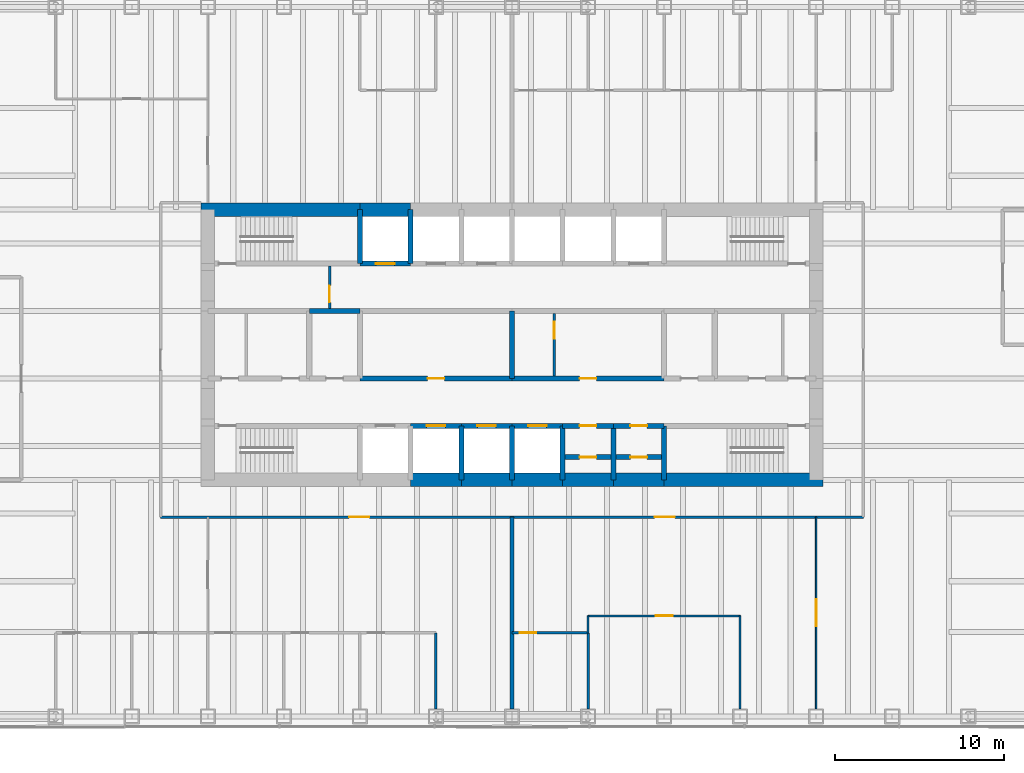
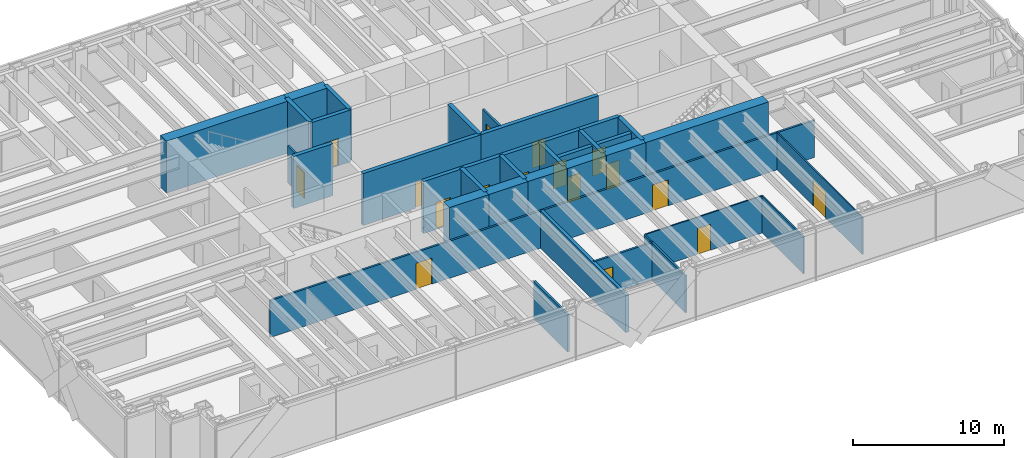
# One storey, part 15 of 18: 38 walls, 17 doors, 17 openings.
"""IFC4 building model written with IfcOpenShell, lengths in metres."""

from ifc_helpers import new_model, si_unit, direction, frame, frame_2d, origin, place, context, subcontext, project, spatial, rectangle, extrude, material, layer, layer_set, type_object, element, fill, save


model = new_model("IFC4")

# Units and contexts
model_context = context("Model", 3, precision=1e-05, world=origin(), true_north=direction((0.0, 1.0)))
body_context = subcontext(model_context, "Body", "Model", "MODEL_VIEW")
ifc_project = project(units=[si_unit("LENGTHUNIT", "METRE"), si_unit("AREAUNIT", "SQUARE_METRE"), si_unit("VOLUMEUNIT", "CUBIC_METRE"), si_unit("PLANEANGLEUNIT", "RADIAN"), si_unit("MASSUNIT", "GRAM", prefix="KILO")], contexts=[model_context])

# Site, building, storey
site_placement = place(None, origin())
site = spatial("IfcSite", under=ifc_project, at=site_placement, CompositionType="ELEMENT")
building_placement = place(site_placement, origin())
building = spatial("IfcBuilding", under=site, at=building_placement, Name="Rheinbord Bourse Tower", CompositionType="ELEMENT")
storey_placement = place(building_placement, frame((0.0, 0.0, 244.60009765625)))
storey = spatial("IfcBuildingStorey", under=building, at=storey_placement, Name="L55", CompositionType="ELEMENT", Elevation=244.60009765625)

# Wall, opening, door
ifc_material_1 = material(Name="Concrete C50/60", Category="concrete")
ifc_layer_1 = layer(ifc_material_1, 0.300048828125)
ifc_layer_set_1 = layer_set([ifc_layer_1], Name="CORE INNER WALL 300")
wall_type_1 = type_object("IfcWallType", Name="CORE INNER WALL 300", PredefinedType="SOLIDWALL", material=ifc_layer_set_1)
wall_1_placement = place(storey_placement, frame((30.0, 19.199951171875, 0.0), z_axis=(0.0, 0.0, 1.0), x_axis=(1.0, 0.0, 0.0)))
wall_1 = element("IfcWall", 1, at=wall_1_placement, inside=storey, type_object=wall_type_1, Name="Core wall A3 L55", PredefinedType="SOLIDWALL", context=body_context, shape_type="SweptSolid", body=[
    extrude(rectangle(XDim=3.0, YDim=0.300048828125, at=frame_2d((1.5, 0.0))), origin(), (0.0, 0.0, 1.0), 4.199951171875),
])
opening_1_placement = place(wall_1_placement, frame((0.949951171875, 0.0, 0.0)))
opening_1 = element("IfcOpeningElement", 2, at=opening_1_placement, cuts=wall_1, Name="Opening PC1", PredefinedType="OPENING", context=body_context, shape_type="SweptSolid", body=[
    extrude(rectangle(XDim=1.10009765625, YDim=2.199951171875, at=frame_2d((0.550048828125, 1.10009765625))), frame((0.0, 0.159912109375, 0.0), z_axis=(0.0, -1.0, 0.0), x_axis=(1.0, 0.0, 0.0)), (0.0, 0.0, 1.0), 0.320068359375),
])
ifc_material_2 = material(Name="Steel landing door", Category="steel")
door_type_1 = type_object("IfcDoorType", Name="LIFT LANDING DOOR 1100", OperationType="DOUBLE_DOOR_SLIDING", PredefinedType="USERDEFINED", material=ifc_material_2)
door_1_placement = place(opening_1_placement, origin())
door_1 = element("IfcDoor", 3, at=door_1_placement, inside=storey, type_object=door_type_1, Name="Lift landing door PC1 L55", ObjectType="LIFT LANDING DOOR", OperationType="DOUBLE_DOOR_SLIDING", OverallHeight=2.199951171875, OverallWidth=1.10009765625, PredefinedType="USERDEFINED", context=body_context, shape_type="SweptSolid", body=[
    extrude(rectangle(XDim=1.10009765625, YDim=2.199951171875, at=frame_2d((0.550048828125, 1.10009765625))), frame((0.0, 0.02490234375, 0.0), z_axis=(0.0, -1.0, 0.0), x_axis=(1.0, 0.0, 0.0)), (0.0, 0.0, 1.0), 0.050048828125),
])
fill(opening_1, door_1)

wall_2_placement = place(storey_placement, frame((33.0, 19.199951171875, 0.0), z_axis=(0.0, 0.0, 1.0), x_axis=(1.0, 0.0, 0.0)))
wall_2 = element("IfcWall", 4, at=wall_2_placement, inside=storey, type_object=wall_type_1, Name="Core wall A4 L55", PredefinedType="SOLIDWALL", context=body_context, shape_type="SweptSolid", body=[
    extrude(rectangle(XDim=3.0, YDim=0.300048828125, at=frame_2d((1.5, 0.0))), origin(), (0.0, 0.0, 1.0), 4.199951171875),
])
opening_2_placement = place(wall_2_placement, frame((0.949951171875, 0.0, 0.0)))
opening_2 = element("IfcOpeningElement", 5, at=opening_2_placement, cuts=wall_2, Name="Opening PC2", PredefinedType="OPENING", context=body_context, shape_type="SweptSolid", body=[
    extrude(rectangle(XDim=1.10009765625, YDim=2.199951171875, at=frame_2d((0.550048828125, 1.10009765625))), frame((0.0, 0.159912109375, 0.0), z_axis=(0.0, -1.0, 0.0), x_axis=(1.0, 0.0, 0.0)), (0.0, 0.0, 1.0), 0.320068359375),
])
door_2_placement = place(opening_2_placement, origin())
door_2 = element("IfcDoor", 6, at=door_2_placement, inside=storey, type_object=door_type_1, Name="Lift landing door PC2 L55", ObjectType="LIFT LANDING DOOR", OperationType="DOUBLE_DOOR_SLIDING", OverallHeight=2.199951171875, OverallWidth=1.10009765625, PredefinedType="USERDEFINED", context=body_context, shape_type="SweptSolid", body=[
    extrude(rectangle(XDim=1.10009765625, YDim=2.199951171875, at=frame_2d((0.550048828125, 1.10009765625))), frame((0.0, 0.02490234375, 0.0), z_axis=(0.0, -1.0, 0.0), x_axis=(1.0, 0.0, 0.0)), (0.0, 0.0, 1.0), 0.050048828125),
])
fill(opening_2, door_2)

wall_3_placement = place(storey_placement, frame((36.0, 19.199951171875, 0.0), z_axis=(0.0, 0.0, 1.0), x_axis=(1.0, 0.0, 0.0)))
wall_3 = element("IfcWall", 7, at=wall_3_placement, inside=storey, type_object=wall_type_1, Name="Core wall A5 L55", PredefinedType="SOLIDWALL", context=body_context, shape_type="SweptSolid", body=[
    extrude(rectangle(XDim=3.0, YDim=0.300048828125, at=frame_2d((1.5, 0.0))), origin(), (0.0, 0.0, 1.0), 4.199951171875),
])
opening_3_placement = place(wall_3_placement, frame((0.949951171875, 0.0, 0.0)))
opening_3 = element("IfcOpeningElement", 8, at=opening_3_placement, cuts=wall_3, Name="Opening PC3", PredefinedType="OPENING", context=body_context, shape_type="SweptSolid", body=[
    extrude(rectangle(XDim=1.10009765625, YDim=2.199951171875, at=frame_2d((0.550048828125, 1.10009765625))), frame((0.0, 0.159912109375, 0.0), z_axis=(0.0, -1.0, 0.0), x_axis=(1.0, 0.0, 0.0)), (0.0, 0.0, 1.0), 0.320068359375),
])
door_3_placement = place(opening_3_placement, origin())
door_3 = element("IfcDoor", 9, at=door_3_placement, inside=storey, type_object=door_type_1, Name="Lift landing door PC3 L55", ObjectType="LIFT LANDING DOOR", OperationType="DOUBLE_DOOR_SLIDING", OverallHeight=2.199951171875, OverallWidth=1.10009765625, PredefinedType="USERDEFINED", context=body_context, shape_type="SweptSolid", body=[
    extrude(rectangle(XDim=1.10009765625, YDim=2.199951171875, at=frame_2d((0.550048828125, 1.10009765625))), frame((0.0, 0.02490234375, 0.0), z_axis=(0.0, -1.0, 0.0), x_axis=(1.0, 0.0, 0.0)), (0.0, 0.0, 1.0), 0.050048828125),
])
fill(opening_3, door_3)

wall_4_placement = place(storey_placement, frame((39.0, 19.199951171875, 0.0), z_axis=(0.0, 0.0, 1.0), x_axis=(1.0, 0.0, 0.0)))
wall_4 = element("IfcWall", 10, at=wall_4_placement, inside=storey, type_object=wall_type_1, Name="Core wall A6 L55", PredefinedType="SOLIDWALL", context=body_context, shape_type="SweptSolid", body=[
    extrude(rectangle(XDim=3.0, YDim=0.300048828125, at=frame_2d((1.5, 0.0))), origin(), (0.0, 0.0, 1.0), 4.199951171875),
])
opening_4_placement = place(wall_4_placement, frame((1.0, 0.0, 0.0)))
opening_4 = element("IfcOpeningElement", 11, at=opening_4_placement, cuts=wall_4, Name="Opening 55R8", PredefinedType="OPENING", context=body_context, shape_type="SweptSolid", body=[
    extrude(rectangle(XDim=1.0, YDim=2.10009765625, at=frame_2d((0.5, 1.050048828125))), frame((0.0, 0.159912109375, 0.0), z_axis=(0.0, -1.0, 0.0), x_axis=(1.0, 0.0, 0.0)), (0.0, 0.0, 1.0), 0.320068359375),
])
ifc_material_3 = material(Name="Steel door", Category="steel")
door_type_2 = type_object("IfcDoorType", Name="DOOR 1000 EI30", OperationType="SINGLE_SWING_LEFT", PredefinedType="DOOR", material=ifc_material_3)
door_4_placement = place(opening_4_placement, origin())
door_4 = element("IfcDoor", 12, at=door_4_placement, inside=storey, type_object=door_type_2, Name="IT room door L55", OperationType="SINGLE_SWING_LEFT", OverallHeight=2.10009765625, OverallWidth=1.0, PredefinedType="DOOR", context=body_context, shape_type="SweptSolid", body=[
    extrude(rectangle(XDim=1.0, YDim=2.10009765625, at=frame_2d((0.5, 1.050048828125))), frame((0.0, 0.02490234375, 0.0), z_axis=(0.0, -1.0, 0.0), x_axis=(1.0, 0.0, 0.0)), (0.0, 0.0, 1.0), 0.050048828125),
])
fill(opening_4, door_4)

wall_5_placement = place(storey_placement, frame((42.0, 19.199951171875, 0.0), z_axis=(0.0, 0.0, 1.0), x_axis=(1.0, 0.0, 0.0)))
wall_5 = element("IfcWall", 13, at=wall_5_placement, inside=storey, type_object=wall_type_1, Name="Core wall A7 L55", PredefinedType="SOLIDWALL", context=body_context, shape_type="SweptSolid", body=[
    extrude(rectangle(XDim=3.0, YDim=0.300048828125, at=frame_2d((1.5, 0.0))), origin(), (0.0, 0.0, 1.0), 4.199951171875),
])
opening_5_placement = place(wall_5_placement, frame((1.0, 0.0, 0.0)))
opening_5 = element("IfcOpeningElement", 14, at=opening_5_placement, cuts=wall_5, Name="Opening 55R9", PredefinedType="OPENING", context=body_context, shape_type="SweptSolid", body=[
    extrude(rectangle(XDim=1.0, YDim=2.10009765625, at=frame_2d((0.5, 1.050048828125))), frame((0.0, 0.159912109375, 0.0), z_axis=(0.0, -1.0, 0.0), x_axis=(1.0, 0.0, 0.0)), (0.0, 0.0, 1.0), 0.320068359375),
])
door_5_placement = place(opening_5_placement, origin())
door_5 = element("IfcDoor", 15, at=door_5_placement, inside=storey, type_object=door_type_2, Name="Cleaner's store door L55", OperationType="SINGLE_SWING_LEFT", OverallHeight=2.10009765625, OverallWidth=1.0, PredefinedType="DOOR", context=body_context, shape_type="SweptSolid", body=[
    extrude(rectangle(XDim=1.0, YDim=2.10009765625, at=frame_2d((0.5, 1.050048828125))), frame((0.0, 0.02490234375, 0.0), z_axis=(0.0, -1.0, 0.0), x_axis=(1.0, 0.0, 0.0)), (0.0, 0.0, 1.0), 0.050048828125),
])
fill(opening_5, door_5)

wall_6_placement = place(storey_placement, frame((27.0, 28.800048828125, 0.0), z_axis=(0.0, 0.0, 1.0), x_axis=(1.0, 0.0, 0.0)))
wall_6 = element("IfcWall", 16, at=wall_6_placement, inside=storey, type_object=wall_type_1, Name="Core wall B2 L55", PredefinedType="SOLIDWALL", context=body_context, shape_type="SweptSolid", body=[
    extrude(rectangle(XDim=3.0, YDim=0.300048828125, at=frame_2d((1.5, 0.0))), origin(), (0.0, 0.0, 1.0), 4.199951171875),
])
opening_6_placement = place(wall_6_placement, frame((0.949951171875, 0.0, 0.0)))
opening_6 = element("IfcOpeningElement", 17, at=opening_6_placement, cuts=wall_6, Name="Opening GL1", PredefinedType="OPENING", context=body_context, shape_type="SweptSolid", body=[
    extrude(rectangle(XDim=1.10009765625, YDim=2.199951171875, at=frame_2d((0.550048828125, 1.10009765625))), frame((0.0, 0.159912109375, 0.0), z_axis=(0.0, -1.0, 0.0), x_axis=(1.0, 0.0, 0.0)), (0.0, 0.0, 1.0), 0.320068359375),
])
door_6_placement = place(opening_6_placement, origin())
door_6 = element("IfcDoor", 18, at=door_6_placement, inside=storey, type_object=door_type_1, Name="Lift landing door GL1 L55", ObjectType="LIFT LANDING DOOR", OperationType="DOUBLE_DOOR_SLIDING", OverallHeight=2.199951171875, OverallWidth=1.10009765625, PredefinedType="USERDEFINED", context=body_context, shape_type="SweptSolid", body=[
    extrude(rectangle(XDim=1.10009765625, YDim=2.199951171875, at=frame_2d((0.550048828125, 1.10009765625))), frame((0.0, 0.02490234375, 0.0), z_axis=(0.0, -1.0, 0.0), x_axis=(1.0, 0.0, 0.0)), (0.0, 0.0, 1.0), 0.050048828125),
])
fill(opening_6, door_6)

wall_7_placement = place(storey_placement, frame((27.0, 22.0, 0.0), z_axis=(0.0, 0.0, 1.0), x_axis=(1.0, 0.0, 0.0)))
wall_7 = element("IfcWall", 19, at=wall_7_placement, inside=storey, type_object=wall_type_1, Name="Core wall C3 L55", PredefinedType="SOLIDWALL", context=body_context, shape_type="SweptSolid", body=[
    extrude(rectangle(XDim=9.0, YDim=0.300048828125, at=frame_2d((4.5, 0.0))), origin(), (0.0, 0.0, 1.0), 4.199951171875),
])
opening_7_placement = place(wall_7_placement, frame((4.0, 0.0, 0.0)))
opening_7 = element("IfcOpeningElement", 20, at=opening_7_placement, cuts=wall_7, Name="Opening 55R3", PredefinedType="OPENING", context=body_context, shape_type="SweptSolid", body=[
    extrude(rectangle(XDim=1.0, YDim=2.10009765625, at=frame_2d((0.5, 1.050048828125))), frame((0.0, 0.159912109375, 0.0), z_axis=(0.0, -1.0, 0.0), x_axis=(1.0, 0.0, 0.0)), (0.0, 0.0, 1.0), 0.320068359375),
])
door_7_placement = place(opening_7_placement, origin())
door_7 = element("IfcDoor", 21, at=door_7_placement, inside=storey, type_object=door_type_2, Name="Riser door L55", OperationType="SINGLE_SWING_LEFT", OverallHeight=2.10009765625, OverallWidth=1.0, PredefinedType="DOOR", context=body_context, shape_type="SweptSolid", body=[
    extrude(rectangle(XDim=1.0, YDim=2.10009765625, at=frame_2d((0.5, 1.050048828125))), frame((0.0, 0.02490234375, 0.0), z_axis=(0.0, -1.0, 0.0), x_axis=(1.0, 0.0, 0.0)), (0.0, 0.0, 1.0), 0.050048828125),
])
fill(opening_7, door_7)

wall_8_placement = place(storey_placement, frame((36.0, 22.0, 0.0), z_axis=(0.0, 0.0, 1.0), x_axis=(1.0, 0.0, 0.0)))
wall_8 = element("IfcWall", 22, at=wall_8_placement, inside=storey, type_object=wall_type_1, Name="Core wall C4 L55", PredefinedType="SOLIDWALL", context=body_context, shape_type="SweptSolid", body=[
    extrude(rectangle(XDim=9.0, YDim=0.300048828125, at=frame_2d((4.5, 0.0))), origin(), (0.0, 0.0, 1.0), 4.199951171875),
])
opening_8_placement = place(wall_8_placement, frame((4.0, 0.0, 0.0)))
opening_8 = element("IfcOpeningElement", 23, at=opening_8_placement, cuts=wall_8, Name="Opening 55R4", PredefinedType="OPENING", context=body_context, shape_type="SweptSolid", body=[
    extrude(rectangle(XDim=1.0, YDim=2.10009765625, at=frame_2d((0.5, 1.050048828125))), frame((0.0, 0.159912109375, 0.0), z_axis=(0.0, -1.0, 0.0), x_axis=(1.0, 0.0, 0.0)), (0.0, 0.0, 1.0), 0.320068359375),
])
door_8_placement = place(opening_8_placement, origin())
door_8 = element("IfcDoor", 24, at=door_8_placement, inside=storey, type_object=door_type_2, Name="Store door L55", OperationType="SINGLE_SWING_LEFT", OverallHeight=2.10009765625, OverallWidth=1.0, PredefinedType="DOOR", context=body_context, shape_type="SweptSolid", body=[
    extrude(rectangle(XDim=1.0, YDim=2.10009765625, at=frame_2d((0.5, 1.050048828125))), frame((0.0, 0.02490234375, 0.0), z_axis=(0.0, -1.0, 0.0), x_axis=(1.0, 0.0, 0.0)), (0.0, 0.0, 1.0), 0.050048828125),
])
fill(opening_8, door_8)

# Walls
wall_9_placement = place(storey_placement, frame((24.0, 26.0, 0.0), z_axis=(0.0, 0.0, 1.0), x_axis=(1.0, 0.0, 0.0)))
element("IfcWall", 25, at=wall_9_placement, inside=storey, type_object=wall_type_1, Name="Core wall D2 L55", PredefinedType="SOLIDWALL", context=body_context, shape_type="SweptSolid", body=[
    extrude(rectangle(XDim=3.0, YDim=0.300048828125, at=frame_2d((1.5, 0.0))), origin(), (0.0, 0.0, 1.0), 4.199951171875),
])
for number, where, z_axis, x_axis, name in (
    (26, (27.0, 28.800048828125, 0.0), (0.0, 0.0, 1.0), (0.0, 1.0, 0.0), "Core wall NX27 L55"),
    (27, (30.0, 28.800048828125, 0.0), (0.0, 0.0, 1.0), (0.0, 1.0, 0.0), "Core wall NX30 L55"),
    (28, (33.0, 16.0, 0.0), (0.0, 0.0, 1.0), (0.0, 1.0, 0.0), "Core wall SX33 L55"),
    (29, (36.0, 16.0, 0.0), (0.0, 0.0, 1.0), (0.0, 1.0, 0.0), "Core wall SX36 L55"),
    (30, (39.0, 16.0, 0.0), (0.0, 0.0, 1.0), (0.0, 1.0, 0.0), "Core wall SX39 L55"),
    (31, (42.0, 16.0, 0.0), (0.0, 0.0, 1.0), (0.0, 1.0, 0.0), "Core wall SX42 L55"),
    (32, (45.0, 16.0, 0.0), (0.0, 0.0, 1.0), (0.0, 1.0, 0.0), "Core wall SX45 L55"),
):
    element("IfcWall", number, at=place(storey_placement, frame(where, z_axis=z_axis, x_axis=x_axis)), inside=storey, type_object=wall_type_1, Name=name, PredefinedType="SOLIDWALL", context=body_context, shape_type="SweptSolid", body=[
        extrude(rectangle(XDim=3.199951171875, YDim=0.300048828125, at=frame_2d((1.60009765625, 0.0))), origin(), (0.0, 0.0, 1.0), 4.199951171875),
    ])
wall_10_placement = place(storey_placement, frame((36.0, 22.0, 0.0), z_axis=(0.0, 0.0, 1.0), x_axis=(0.0, 1.0, 0.0)))
element("IfcWall", 33, at=wall_10_placement, inside=storey, type_object=wall_type_1, Name="Core wall MX36 L55", PredefinedType="SOLIDWALL", context=body_context, shape_type="SweptSolid", body=[
    extrude(rectangle(XDim=4.0, YDim=0.300048828125, at=frame_2d((2.0, 0.0))), origin(), (0.0, 0.0, 1.0), 4.199951171875),
])

# Wall, opening, door
wall_11_placement = place(storey_placement, frame((39.14990234375, 17.35009765625, 0.0), z_axis=(0.0, 0.0, 1.0), x_axis=(1.0, 0.0, 0.0)))
wall_11 = element("IfcWall", 34, at=wall_11_placement, inside=storey, type_object=wall_type_1, Name="Core riser wall L55-6", PredefinedType="SOLIDWALL", context=body_context, shape_type="SweptSolid", body=[
    extrude(rectangle(XDim=2.7001953125, YDim=0.300048828125, at=frame_2d((1.35009765625, 0.0))), origin(), (0.0, 0.0, 1.0), 4.039794921875),
])
opening_9_placement = place(wall_11_placement, frame((0.85009765625, 0.0, 0.0)))
opening_9 = element("IfcOpeningElement", 35, at=opening_9_placement, cuts=wall_11, Name="Opening 55R12", PredefinedType="OPENING", context=body_context, shape_type="SweptSolid", body=[
    extrude(rectangle(XDim=1.0, YDim=2.10009765625, at=frame_2d((0.5, 1.050048828125))), frame((0.0, 0.159912109375, 0.0), z_axis=(0.0, -1.0, 0.0), x_axis=(1.0, 0.0, 0.0)), (0.0, 0.0, 1.0), 0.320068359375),
])
door_9_placement = place(opening_9_placement, origin())
door_9 = element("IfcDoor", 36, at=door_9_placement, inside=storey, type_object=door_type_2, Name="Comms riser door L55", OperationType="SINGLE_SWING_LEFT", OverallHeight=2.10009765625, OverallWidth=1.0, PredefinedType="DOOR", context=body_context, shape_type="SweptSolid", body=[
    extrude(rectangle(XDim=1.0, YDim=2.10009765625, at=frame_2d((0.5, 1.050048828125))), frame((0.0, 0.02490234375, 0.0), z_axis=(0.0, -1.0, 0.0), x_axis=(1.0, 0.0, 0.0)), (0.0, 0.0, 1.0), 0.050048828125),
])
fill(opening_9, door_9)

wall_12_placement = place(storey_placement, frame((42.14990234375, 17.35009765625, 0.0), z_axis=(0.0, 0.0, 1.0), x_axis=(1.0, 0.0, 0.0)))
wall_12 = element("IfcWall", 37, at=wall_12_placement, inside=storey, type_object=wall_type_1, Name="Core riser wall L55-7", PredefinedType="SOLIDWALL", context=body_context, shape_type="SweptSolid", body=[
    extrude(rectangle(XDim=2.7001953125, YDim=0.300048828125, at=frame_2d((1.35009765625, 0.0))), origin(), (0.0, 0.0, 1.0), 4.039794921875),
])
opening_10_placement = place(wall_12_placement, frame((0.85009765625, 0.0, 0.0)))
opening_10 = element("IfcOpeningElement", 38, at=opening_10_placement, cuts=wall_12, Name="Opening 55R13", PredefinedType="OPENING", context=body_context, shape_type="SweptSolid", body=[
    extrude(rectangle(XDim=1.0, YDim=2.10009765625, at=frame_2d((0.5, 1.050048828125))), frame((0.0, 0.159912109375, 0.0), z_axis=(0.0, -1.0, 0.0), x_axis=(1.0, 0.0, 0.0)), (0.0, 0.0, 1.0), 0.320068359375),
])
door_10_placement = place(opening_10_placement, origin())
door_10 = element("IfcDoor", 39, at=door_10_placement, inside=storey, type_object=door_type_2, Name="Electrical riser door L55", OperationType="SINGLE_SWING_LEFT", OverallHeight=2.10009765625, OverallWidth=1.0, PredefinedType="DOOR", context=body_context, shape_type="SweptSolid", body=[
    extrude(rectangle(XDim=1.0, YDim=2.10009765625, at=frame_2d((0.5, 1.050048828125))), frame((0.0, 0.02490234375, 0.0), z_axis=(0.0, -1.0, 0.0), x_axis=(1.0, 0.0, 0.0)), (0.0, 0.0, 1.0), 0.050048828125),
])
fill(opening_10, door_10)

ifc_material_4 = material(Name="Gypsum board fire partition", Category="gypsum board")
ifc_layer_2 = layer(ifc_material_4, 0.14990234375)
ifc_layer_set_2 = layer_set([ifc_layer_2], Name="CORE PARTITION 150 EI30")
wall_type_2 = type_object("IfcWallType", Name="CORE PARTITION 150 EI30", PredefinedType="PARTITIONING", material=ifc_layer_set_2)
wall_13_placement = place(storey_placement, frame((38.5, 22.14990234375, 0.0), z_axis=(0.0, 0.0, 1.0), x_axis=(0.0, 1.0, 0.0)))
wall_13 = element("IfcWall", 40, at=wall_13_placement, inside=storey, type_object=wall_type_2, Name="Core partition L55-1", PredefinedType="PARTITIONING", context=body_context, shape_type="SweptSolid", body=[
    extrude(rectangle(XDim=3.7001953125, YDim=0.14990234375, at=frame_2d((1.85009765625, 0.0))), origin(), (0.0, 0.0, 1.0), 3.0),
])
opening_11_placement = place(wall_13_placement, frame((2.199951171875, 0.0, 0.0)))
opening_11 = element("IfcOpeningElement", 41, at=opening_11_placement, cuts=wall_13, Name="Opening 55R7", PredefinedType="OPENING", context=body_context, shape_type="SweptSolid", body=[
    extrude(rectangle(XDim=1.0, YDim=2.10009765625, at=frame_2d((0.5, 1.050048828125))), frame((0.0, 0.0849609375, 0.0), z_axis=(0.0, -1.0, 0.0), x_axis=(1.0, 0.0, 0.0)), (0.0, 0.0, 1.0), 0.169921875),
])
door_11_placement = place(opening_11_placement, origin())
door_11 = element("IfcDoor", 42, at=door_11_placement, inside=storey, type_object=door_type_2, Name="Furniture store door L55", OperationType="SINGLE_SWING_RIGHT", OverallHeight=2.10009765625, OverallWidth=1.0, PredefinedType="DOOR", context=body_context, shape_type="SweptSolid", body=[
    extrude(rectangle(XDim=1.0, YDim=2.10009765625, at=frame_2d((0.5, 1.050048828125))), frame((0.0, 0.02490234375, 0.0), z_axis=(0.0, -1.0, 0.0), x_axis=(1.0, 0.0, 0.0)), (0.0, 0.0, 1.0), 0.050048828125),
])
fill(opening_11, door_11)

wall_14_placement = place(storey_placement, frame((25.199951171875, 26.14990234375, 0.0), z_axis=(0.0, 0.0, 1.0), x_axis=(0.0, 1.0, 0.0)))
wall_14 = element("IfcWall", 43, at=wall_14_placement, inside=storey, type_object=wall_type_2, Name="Core partition L55-5", PredefinedType="PARTITIONING", context=body_context, shape_type="SweptSolid", body=[
    extrude(rectangle(XDim=2.5, YDim=0.14990234375, at=frame_2d((1.25, 0.0))), origin(), (0.0, 0.0, 1.0), 3.0),
])
opening_12_placement = place(wall_14_placement, frame((0.35009765625, 0.0, 0.0)))
opening_12 = element("IfcOpeningElement", 44, at=opening_12_placement, cuts=wall_14, Name="Opening 55L6", PredefinedType="OPENING", context=body_context, shape_type="SweptSolid", body=[
    extrude(rectangle(XDim=1.0, YDim=2.10009765625, at=frame_2d((0.5, 1.050048828125))), frame((0.0, 0.0849609375, 0.0), z_axis=(0.0, -1.0, 0.0), x_axis=(1.0, 0.0, 0.0)), (0.0, 0.0, 1.0), 0.169921875),
])
door_12_placement = place(opening_12_placement, origin())
door_12 = element("IfcDoor", 45, at=door_12_placement, inside=storey, type_object=door_type_2, Name="Stair lobby door L55", OperationType="SINGLE_SWING_LEFT", OverallHeight=2.10009765625, OverallWidth=1.0, PredefinedType="DOOR", context=body_context, shape_type="SweptSolid", body=[
    extrude(rectangle(XDim=1.0, YDim=2.10009765625, at=frame_2d((0.5, 1.050048828125))), frame((0.0, 0.02490234375, 0.0), z_axis=(0.0, -1.0, 0.0), x_axis=(1.0, 0.0, 0.0)), (0.0, 0.0, 1.0), 0.050048828125),
])
fill(opening_12, door_12)

# Walls
ifc_material_5 = material(Name="Concrete C50/60", Category="concrete")
ifc_layer_3 = layer(ifc_material_5, 0.800048828125)
ifc_layer_set_3 = layer_set([ifc_layer_3], Name="CORE WALL 800")
wall_type_3 = type_object("IfcWallType", Name="CORE WALL 800", PredefinedType="SHEAR", material=ifc_layer_set_3)
for number, where, z_axis, x_axis, name in (
    (46, (30.0, 16.0, 0.0), (0.0, 0.0, 1.0), (1.0, 0.0, 0.0), "Core wall S3 L55"),
    (47, (33.0, 16.0, 0.0), (0.0, 0.0, 1.0), (1.0, 0.0, 0.0), "Core wall S4 L55"),
    (48, (36.0, 16.0, 0.0), (0.0, 0.0, 1.0), (1.0, 0.0, 0.0), "Core wall S5 L55"),
    (49, (39.0, 16.0, 0.0), (0.0, 0.0, 1.0), (1.0, 0.0, 0.0), "Core wall S6 L55"),
    (50, (42.0, 16.0, 0.0), (0.0, 0.0, 1.0), (1.0, 0.0, 0.0), "Core wall S7 L55"),
):
    element("IfcWall", number, at=place(storey_placement, frame(where, z_axis=z_axis, x_axis=x_axis)), inside=storey, type_object=wall_type_3, Name=name, PredefinedType="SHEAR", context=body_context, shape_type="SweptSolid", body=[
        extrude(rectangle(XDim=3.0, YDim=0.800048828125, at=frame_2d((1.5, 0.0))), origin(), (0.0, 0.0, 1.0), 4.199951171875),
    ])
wall_15_placement = place(storey_placement, frame((45.0, 16.0, 0.0), z_axis=(0.0, 0.0, 1.0), x_axis=(1.0, 0.0, 0.0)))
element("IfcWall", 51, at=wall_15_placement, inside=storey, type_object=wall_type_3, Name="Core wall S8 L55", PredefinedType="SHEAR", context=body_context, shape_type="SweptSolid", body=[
    extrude(rectangle(XDim=9.39990234375, YDim=0.800048828125, at=frame_2d((4.699951171875, 0.0))), origin(), (0.0, 0.0, 1.0), 4.199951171875),
])
wall_16_placement = place(storey_placement, frame((30.0, 32.0, 0.0), z_axis=(0.0, 0.0, 1.0), x_axis=(-1.0, 0.0, 0.0)))
element("IfcWall", 52, at=wall_16_placement, inside=storey, type_object=wall_type_3, Name="Core wall N7 L55", PredefinedType="SHEAR", context=body_context, shape_type="SweptSolid", body=[
    extrude(rectangle(XDim=3.0, YDim=0.800048828125, at=frame_2d((1.5, 0.0))), origin(), (0.0, 0.0, 1.0), 4.199951171875),
])
wall_17_placement = place(storey_placement, frame((27.0, 32.0, 0.0), z_axis=(0.0, 0.0, 1.0), x_axis=(-1.0, 0.0, 0.0)))
element("IfcWall", 53, at=wall_17_placement, inside=storey, type_object=wall_type_3, Name="Core wall N8 L55", PredefinedType="SHEAR", context=body_context, shape_type="SweptSolid", body=[
    extrude(rectangle(XDim=9.39990234375, YDim=0.800048828125, at=frame_2d((4.699951171875, 0.0))), origin(), (0.0, 0.0, 1.0), 4.199951171875),
])

# Wall, openings, doors
ifc_material_6 = material(Name="Gypsum board corridor partition", Category="gypsum board")
ifc_layer_4 = layer(ifc_material_6, 0.14990234375)
ifc_layer_set_4 = layer_set([ifc_layer_4], Name="CORRIDOR PARTITION 150 EI30")
wall_type_4 = type_object("IfcWallType", Name="CORRIDOR PARTITION 150 EI30", PredefinedType="PARTITIONING", material=ifc_layer_set_4)
wall_18_placement = place(storey_placement, frame((15.199951171875, 13.800048828125, 0.0), z_axis=(0.0, 0.0, 1.0), x_axis=(1.0, 0.0, 0.0)))
wall_18 = element("IfcWall", 54, at=wall_18_placement, inside=storey, type_object=wall_type_4, Name="Partition L55-05", PredefinedType="PARTITIONING", context=body_context, shape_type="SweptSolid", body=[
    extrude(rectangle(XDim=41.60009765625, YDim=0.14990234375, at=frame_2d((20.800048828125, 0.0))), origin(), (0.0, 0.0, 1.0), 3.0),
])
opening_13_placement = place(wall_18_placement, frame((11.1630859375, 0.0, 0.0)))
opening_13 = element("IfcOpeningElement", 55, at=opening_13_placement, cuts=wall_18, Name="Opening 55D26", PredefinedType="OPENING", context=body_context, shape_type="SweptSolid", body=[
    extrude(rectangle(XDim=1.199951171875, YDim=2.10009765625, at=frame_2d((0.60009765625, 1.050048828125))), frame((0.0, 0.0849609375, 0.0), z_axis=(0.0, -1.0, 0.0), x_axis=(1.0, 0.0, 0.0)), (0.0, 0.0, 1.0), 0.169921875),
])
opening_14_placement = place(wall_18_placement, frame((29.237060546875, 0.0, 0.0)))
opening_14 = element("IfcOpeningElement", 56, at=opening_14_placement, cuts=wall_18, Name="Opening 55D27", PredefinedType="OPENING", context=body_context, shape_type="SweptSolid", body=[
    extrude(rectangle(XDim=1.199951171875, YDim=2.10009765625, at=frame_2d((0.60009765625, 1.050048828125))), frame((0.0, 0.0849609375, 0.0), z_axis=(0.0, -1.0, 0.0), x_axis=(1.0, 0.0, 0.0)), (0.0, 0.0, 1.0), 0.169921875),
])
ifc_material_7 = material(Name="Timber fire door", Category="wood")
door_type_3 = type_object("IfcDoorType", Name="SUITE ENTRANCE DOOR 1200 EI30", OperationType="SINGLE_SWING_LEFT", PredefinedType="DOOR", material=ifc_material_7)
door_13_placement = place(opening_13_placement, origin())
door_13 = element("IfcDoor", 57, at=door_13_placement, inside=storey, type_object=door_type_3, Name="Suite entrance 3 door L55", OperationType="SINGLE_SWING_LEFT", OverallHeight=2.10009765625, OverallWidth=1.199951171875, PredefinedType="DOOR", context=body_context, shape_type="SweptSolid", body=[
    extrude(rectangle(XDim=1.199951171875, YDim=2.10009765625, at=frame_2d((0.60009765625, 1.050048828125))), frame((0.0, 0.02490234375, 0.0), z_axis=(0.0, -1.0, 0.0), x_axis=(1.0, 0.0, 0.0)), (0.0, 0.0, 1.0), 0.050048828125),
])
fill(opening_13, door_13)
door_14_placement = place(opening_14_placement, origin())
door_14 = element("IfcDoor", 58, at=door_14_placement, inside=storey, type_object=door_type_3, Name="Suite entrance 4 door L55", OperationType="SINGLE_SWING_RIGHT", OverallHeight=2.10009765625, OverallWidth=1.199951171875, PredefinedType="DOOR", context=body_context, shape_type="SweptSolid", body=[
    extrude(rectangle(XDim=1.199951171875, YDim=2.10009765625, at=frame_2d((0.60009765625, 1.050048828125))), frame((0.0, 0.02490234375, 0.0), z_axis=(0.0, -1.0, 0.0), x_axis=(1.0, 0.0, 0.0)), (0.0, 0.0, 1.0), 0.050048828125),
])
fill(opening_14, door_14)

# Wall
ifc_material_8 = material(Name="Gypsum board tenancy wall", Category="gypsum board")
ifc_layer_5 = layer(ifc_material_8, 0.25)
ifc_layer_set_5 = layer_set([ifc_layer_5], Name="DEMISING PARTITION 250 EI60")
wall_type_5 = type_object("IfcWallType", Name="DEMISING PARTITION 250 EI60", PredefinedType="PARTITIONING", material=ifc_layer_set_5)
wall_19_placement = place(storey_placement, frame((36.0, 2.449951171875, 0.0), z_axis=(0.0, 0.0, 1.0), x_axis=(0.0, 1.0, 0.0)))
element("IfcWall", 59, at=wall_19_placement, inside=storey, type_object=wall_type_5, Name="Partition L55-33", PredefinedType="PARTITIONING", context=body_context, shape_type="SweptSolid", body=[
    extrude(rectangle(XDim=11.35009765625, YDim=0.25, at=frame_2d((5.675048828125, 0.0))), origin(), (0.0, 0.0, 1.0), 3.0),
])

# Wall, opening, door
ifc_material_9 = material(Name="Toughened laminated glass partition", Category="glass")
ifc_layer_6 = layer(ifc_material_9, 0.10009765625)
ifc_layer_set_6 = layer_set([ifc_layer_6], Name="GLAZED PARTITION 100")
wall_type_6 = type_object("IfcWallType", Name="GLAZED PARTITION 100", PredefinedType="PARTITIONING", material=ifc_layer_set_6)
wall_20_placement = place(storey_placement, frame((40.5, 7.949951171875, 0.0), z_axis=(0.0, 0.0, 1.0), x_axis=(1.0, 0.0, 0.0)))
wall_20 = element("IfcWall", 60, at=wall_20_placement, inside=storey, type_object=wall_type_6, Name="Partition L55-03", PredefinedType="PARTITIONING", context=body_context, shape_type="SweptSolid", body=[
    extrude(rectangle(XDim=9.0, YDim=0.10009765625, at=frame_2d((4.5, 0.0))), origin(), (0.0, 0.0, 1.0), 3.0),
])
opening_15_placement = place(wall_20_placement, frame((4.0, 0.0, 0.0)))
opening_15 = element("IfcOpeningElement", 61, at=opening_15_placement, cuts=wall_20, Name="Opening 55D07", PredefinedType="OPENING", context=body_context, shape_type="SweptSolid", body=[
    extrude(rectangle(XDim=1.0, YDim=2.10009765625, at=frame_2d((0.5, 1.050048828125))), frame((0.0, 0.06005859375, 0.0), z_axis=(0.0, -1.0, 0.0), x_axis=(1.0, 0.0, 0.0)), (0.0, 0.0, 1.0), 0.1201171875),
])
ifc_material_10 = material(Name="Timber door", Category="wood")
door_type_4 = type_object("IfcDoorType", Name="ROOM DOOR 1000", OperationType="SINGLE_SWING_LEFT", PredefinedType="DOOR", material=ifc_material_10)
door_15_placement = place(opening_15_placement, origin())
door_15 = element("IfcDoor", 62, at=door_15_placement, inside=storey, type_object=door_type_4, Name="Meeting room door L55", OperationType="SINGLE_SWING_LEFT", OverallHeight=2.10009765625, OverallWidth=1.0, PredefinedType="DOOR", context=body_context, shape_type="SweptSolid", body=[
    extrude(rectangle(XDim=1.0, YDim=2.10009765625, at=frame_2d((0.5, 1.050048828125))), frame((0.0, 0.02490234375, 0.0), z_axis=(0.0, -1.0, 0.0), x_axis=(1.0, 0.0, 0.0)), (0.0, 0.0, 1.0), 0.050048828125),
])
fill(opening_15, door_15)

# Walls
wall_21_placement = place(storey_placement, frame((40.5, 6.949951171875, 0.0), z_axis=(0.0, 0.0, 1.0), x_axis=(0.0, 1.0, 0.0)))
element("IfcWall", 63, at=wall_21_placement, inside=storey, type_object=wall_type_6, Name="Partition L55-36", PredefinedType="PARTITIONING", context=body_context, shape_type="SweptSolid", body=[
    extrude(rectangle(XDim=1.0, YDim=0.10009765625, at=frame_2d((0.5, 0.0))), origin(), (0.0, 0.0, 1.0), 3.0),
])
wall_22_placement = place(storey_placement, frame((49.5, 2.449951171875, 0.0), z_axis=(0.0, 0.0, 1.0), x_axis=(0.0, 1.0, 0.0)))
element("IfcWall", 64, at=wall_22_placement, inside=storey, type_object=wall_type_6, Name="Partition L55-39", PredefinedType="PARTITIONING", context=body_context, shape_type="SweptSolid", body=[
    extrude(rectangle(XDim=5.5, YDim=0.10009765625, at=frame_2d((2.75, 0.0))), origin(), (0.0, 0.0, 1.0), 3.0),
])

# Wall, opening, door
wall_23_placement = place(storey_placement, frame((54.0, 2.449951171875, 0.0), z_axis=(0.0, 0.0, 1.0), x_axis=(0.0, 1.0, 0.0)))
wall_23 = element("IfcWall", 65, at=wall_23_placement, inside=storey, type_object=wall_type_6, Name="Partition L55-41", PredefinedType="PARTITIONING", context=body_context, shape_type="SweptSolid", body=[
    extrude(rectangle(XDim=11.35009765625, YDim=0.10009765625, at=frame_2d((5.675048828125, 0.0))), origin(), (0.0, 0.0, 1.0), 3.0),
])
opening_16_placement = place(wall_23_placement, frame((4.875, 0.0, 0.0)))
opening_16 = element("IfcOpeningElement", 66, at=opening_16_placement, cuts=wall_23, Name="Opening 55D22", PredefinedType="OPENING", context=body_context, shape_type="SweptSolid", body=[
    extrude(rectangle(XDim=1.60009765625, YDim=2.10009765625, at=frame_2d((0.800048828125, 1.050048828125))), frame((0.0, 0.06005859375, 0.0), z_axis=(0.0, -1.0, 0.0), x_axis=(1.0, 0.0, 0.0)), (0.0, 0.0, 1.0), 0.1201171875),
])
ifc_material_11 = material(Name="Timber door", Category="wood")
door_type_5 = type_object("IfcDoorType", Name="DOUBLE ROOM DOOR 1600", OperationType="DOUBLE_DOOR_DOUBLE_SWING", PredefinedType="DOOR", material=ifc_material_11)
door_16_placement = place(opening_16_placement, origin())
door_16 = element("IfcDoor", 67, at=door_16_placement, inside=storey, type_object=door_type_5, Name="Open area door L55", OperationType="SINGLE_SWING_LEFT", OverallHeight=2.10009765625, OverallWidth=1.60009765625, PredefinedType="DOOR", context=body_context, shape_type="SweptSolid", body=[
    extrude(rectangle(XDim=1.60009765625, YDim=2.10009765625, at=frame_2d((0.800048828125, 1.050048828125))), frame((0.0, 0.02490234375, 0.0), z_axis=(0.0, -1.0, 0.0), x_axis=(1.0, 0.0, 0.0)), (0.0, 0.0, 1.0), 0.050048828125),
])
fill(opening_16, door_16)

ifc_material_12 = material(Name="Gypsum board partition", Category="gypsum board")
ifc_layer_7 = layer(ifc_material_12, 0.14990234375)
ifc_layer_set_7 = layer_set([ifc_layer_7], Name="PARTITION 150")
wall_type_7 = type_object("IfcWallType", Name="PARTITION 150", PredefinedType="PARTITIONING", material=ifc_layer_set_7)
wall_24_placement = place(storey_placement, frame((36.0, 6.949951171875, 0.0), z_axis=(0.0, 0.0, 1.0), x_axis=(1.0, 0.0, 0.0)))
wall_24 = element("IfcWall", 68, at=wall_24_placement, inside=storey, type_object=wall_type_7, Name="Partition L55-02", PredefinedType="PARTITIONING", context=body_context, shape_type="SweptSolid", body=[
    extrude(rectangle(XDim=4.5, YDim=0.14990234375, at=frame_2d((2.25, 0.0))), origin(), (0.0, 0.0, 1.0), 3.0),
])
opening_17_placement = place(wall_24_placement, frame((0.449951171875, 0.0, 0.0)))
opening_17 = element("IfcOpeningElement", 69, at=opening_17_placement, cuts=wall_24, Name="Opening 55D06", PredefinedType="OPENING", context=body_context, shape_type="SweptSolid", body=[
    extrude(rectangle(XDim=1.0, YDim=2.10009765625, at=frame_2d((0.5, 1.050048828125))), frame((0.0, 0.0849609375, 0.0), z_axis=(0.0, -1.0, 0.0), x_axis=(1.0, 0.0, 0.0)), (0.0, 0.0, 1.0), 0.169921875),
])
door_17_placement = place(opening_17_placement, origin())
door_17 = element("IfcDoor", 70, at=door_17_placement, inside=storey, type_object=door_type_4, Name="Pantry door L55", OperationType="SINGLE_SWING_LEFT", OverallHeight=2.10009765625, OverallWidth=1.0, PredefinedType="DOOR", context=body_context, shape_type="SweptSolid", body=[
    extrude(rectangle(XDim=1.0, YDim=2.10009765625, at=frame_2d((0.5, 1.050048828125))), frame((0.0, 0.02490234375, 0.0), z_axis=(0.0, -1.0, 0.0), x_axis=(1.0, 0.0, 0.0)), (0.0, 0.0, 1.0), 0.050048828125),
])
fill(opening_17, door_17)

# Walls
for number, where, z_axis, x_axis, name in (
    (71, (31.5, 2.449951171875, 0.0), (0.0, 0.0, 1.0), (0.0, 1.0, 0.0), "Partition L55-31"),
    (72, (40.5, 2.449951171875, 0.0), (0.0, 0.0, 1.0), (0.0, 1.0, 0.0), "Partition L55-35"),
):
    element("IfcWall", number, at=place(storey_placement, frame(where, z_axis=z_axis, x_axis=x_axis)), inside=storey, type_object=wall_type_7, Name=name, PredefinedType="PARTITIONING", context=body_context, shape_type="SweptSolid", body=[
        extrude(rectangle(XDim=4.5, YDim=0.14990234375, at=frame_2d((2.25, 0.0))), origin(), (0.0, 0.0, 1.0), 3.0),
    ])

save(model, "model.ifc")
